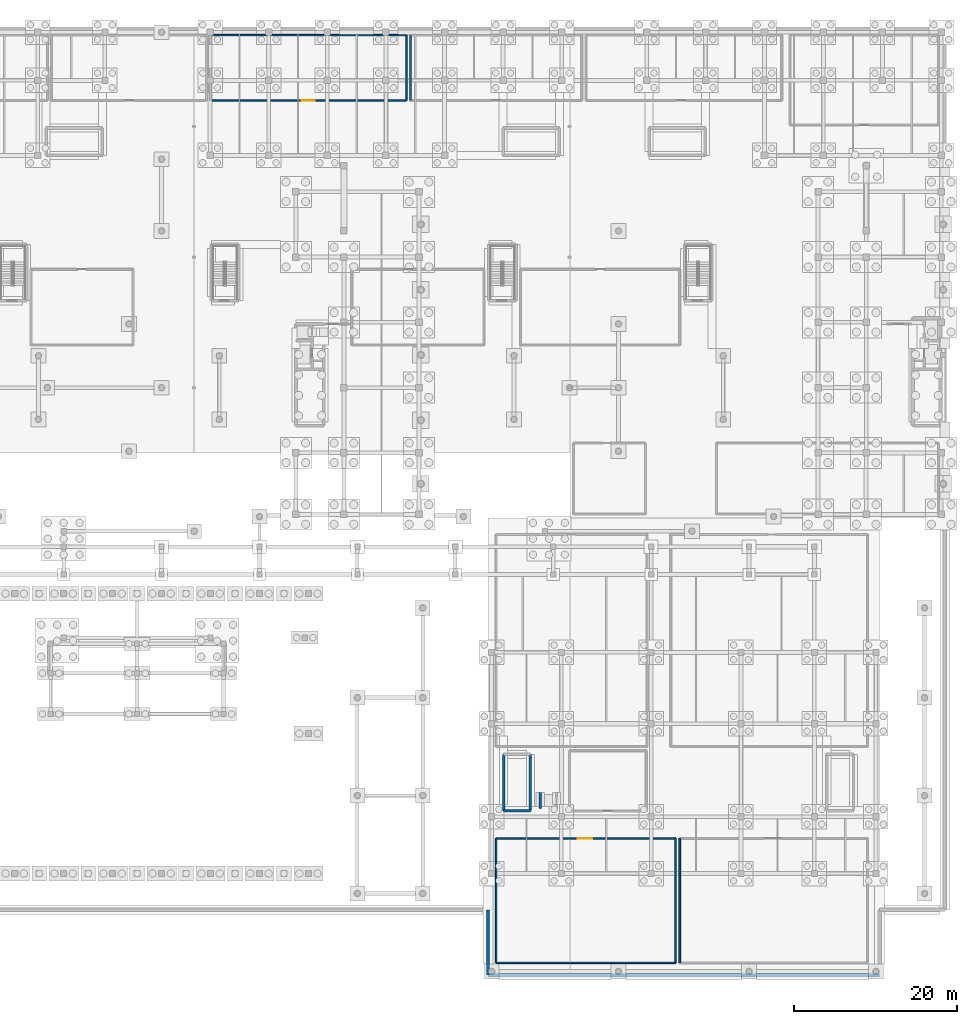
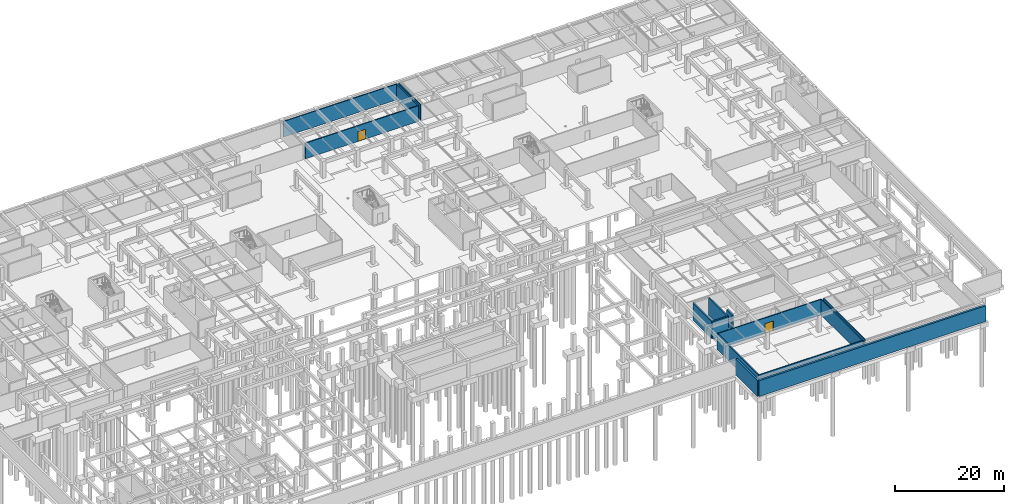
# One storey, part 23 of 35: 15 walls, 2 doors, 2 openings.
"""IFC4 building model written with IfcOpenShell, lengths in metres."""

from ifc_helpers import new_model, si_unit, direction, frame, frame_2d, origin, place, context, subcontext, project, spatial, rectangle, extrude, material, layer, layer_set, type_object, element, fill, save


model = new_model("IFC4")

# Units and contexts
model_context = context("Model", 3, precision=1e-05, world=origin(), true_north=direction((0.0, 1.0)))
body_context = subcontext(model_context, "Body", "Model", "MODEL_VIEW")
ifc_project = project(units=[si_unit("LENGTHUNIT", "METRE"), si_unit("AREAUNIT", "SQUARE_METRE"), si_unit("VOLUMEUNIT", "CUBIC_METRE"), si_unit("PLANEANGLEUNIT", "RADIAN"), si_unit("MASSUNIT", "GRAM", prefix="KILO")], contexts=[model_context])

# Site, building, storey
site_placement = place(None, origin())
site = spatial("IfcSite", under=ifc_project, at=site_placement, CompositionType="ELEMENT")
building_placement = place(site_placement, origin())
building = spatial("IfcBuilding", under=site, at=building_placement, Name="Keldmere Railside Commons", CompositionType="ELEMENT")
storey_placement = place(building_placement, frame((0.0, 0.0, -3.840087890625)))
storey = spatial("IfcBuildingStorey", under=building, at=storey_placement, Name="B1", CompositionType="ELEMENT", Elevation=-3.840087890625)

# Walls
ifc_material_1 = material(Name="Concrete H-40 (C40/50)", Category="concrete")
ifc_layer_1 = layer(ifc_material_1, 0.419921875, Name="Basement Retaining Wall 420")
ifc_layer_set_1 = layer_set([ifc_layer_1], Name="Concrete H-40 (C40/50)")
wall_type_1 = type_object("IfcWallType", Name="Basement Retaining Wall 420", PredefinedType="SOLIDWALL", material=ifc_layer_set_1)
wall_1_placement = place(storey_placement, frame((176.0, 0.0, 0.0), z_axis=(0.0, 0.0, 1.0), x_axis=(-1.0, 0.0, 0.0)))
element("IfcWall", 1, at=wall_1_placement, inside=storey, type_object=wall_type_1, Name="RW-1 RW-B1-0006", PredefinedType="SOLIDWALL", context=body_context, shape_type="SweptSolid", body=[
    extrude(rectangle(XDim=48.0, YDim=0.419921875, at=frame_2d((24.0, 0.0))), origin(), (0.0, 0.0, 1.0), 3.5400390625),
])
wall_2_placement = place(storey_placement, frame((128.0, 0.0, 0.0), z_axis=(0.0, 0.0, 1.0), x_axis=(0.0, 1.0, 0.0)))
element("IfcWall", 2, at=wall_2_placement, inside=storey, type_object=wall_type_1, Name="RW-1 RW-B1-0007", PredefinedType="SOLIDWALL", context=body_context, shape_type="SweptSolid", body=[
    extrude(rectangle(XDim=8.0, YDim=0.419921875, at=frame_2d((4.0, 0.0))), origin(), (0.0, 0.0, 1.0), 3.5400390625),
])
ifc_material_2 = material(Name="Concrete H-35 (C35/45)", Category="concrete")
ifc_layer_2 = layer(ifc_material_2, 0.280029296875, Name="Core Shear Wall 280")
ifc_layer_set_2 = layer_set([ifc_layer_2], Name="Concrete H-35 (C35/45)")
wall_type_2 = type_object("IfcWallType", Name="Core Shear Wall 280", PredefinedType="SHEAR", material=ifc_layer_set_2)
wall_3_placement = place(storey_placement, frame((134.39990234375, 20.39990234375, 0.0), z_axis=(0.0, 0.0, 1.0), x_axis=(0.0, 1.0, 0.0)))
element("IfcWall", 3, at=wall_3_placement, inside=storey, type_object=wall_type_2, Name="CSW-2 ALSHB-B1-1030", PredefinedType="SHEAR", context=body_context, shape_type="SweptSolid", body=[
    extrude(rectangle(XDim=2.0, YDim=0.280029296875, at=frame_2d((1.0, 0.0))), origin(), (0.0, 0.0, 1.0), 3.52001953125),
])
ifc_layer_3 = layer(ifc_material_2, 0.300048828125, Name="Interior Shear Wall 300")
ifc_layer_set_3 = layer_set([ifc_layer_3], Name="Concrete H-35 (C35/45)")
wall_type_3 = type_object("IfcWallType", Name="Interior Shear Wall 300", PredefinedType="SHEAR", material=ifc_layer_set_3)
wall_4_placement = place(storey_placement, frame((133.199951171875, 20.14990234375, 0.0), z_axis=(0.0, 0.0, 1.0), x_axis=(-1.0, 0.0, 0.0)))
element("IfcWall", 4, at=wall_4_placement, inside=storey, type_object=wall_type_3, Name="ISW-2 WAL-ST-M1-B1-S", PredefinedType="SHEAR", context=body_context, shape_type="SweptSolid", body=[
    extrude(rectangle(XDim=3.2900390625, YDim=0.300048828125, at=frame_2d((1.64501953125, 0.0))), origin(), (0.0, 0.0, 1.0), 3.840087890625),
])
for number, where, z_axis, x_axis, name in (
    (5, (133.199951171875, 27.050048828125, 0.0), (0.0, 0.0, 1.0), (0.0, -1.0, 0.0), "ISW-2 WAL-ST-M1-B1-E"),
    (6, (129.909912109375, 20.14990234375, 0.0), (0.0, 0.0, 1.0), (0.0, 1.0, 0.0), "ISW-2 WAL-ST-M1-B1-W"),
):
    element("IfcWall", number, at=place(storey_placement, frame(where, z_axis=z_axis, x_axis=x_axis)), inside=storey, type_object=wall_type_3, Name=name, PredefinedType="SHEAR", context=body_context, shape_type="SweptSolid", body=[
        extrude(rectangle(XDim=6.900146484375, YDim=0.300048828125, at=frame_2d((3.4501953125, 0.0))), origin(), (0.0, 0.0, 1.0), 3.840087890625),
    ])

# Wall, opening, door
ifc_material_3 = material(Name="Terracotta Brick Masonry", Category="masonry")
ifc_layer_4 = layer(ifc_material_3, 0.199951171875, Name="Plant Masonry Infill Wall 200")
ifc_layer_set_4 = layer_set([ifc_layer_4], Name="Terracotta Brick Masonry")
wall_type_4 = type_object("IfcWallType", Name="Plant Masonry Infill Wall 200", PredefinedType="SOLIDWALL", material=ifc_layer_set_4)
wall_5_placement = place(storey_placement, frame((94.0, 107.199951171875, 0.0), z_axis=(0.0, 0.0, 1.0), x_axis=(1.0, 0.0, 0.0)))
wall_5 = element("IfcWall", 7, at=wall_5_placement, inside=storey, type_object=wall_type_4, Name="MW-1 IW-B1-0009", PredefinedType="SOLIDWALL", context=body_context, shape_type="SweptSolid", body=[
    extrude(rectangle(XDim=24.0, YDim=0.199951171875, at=frame_2d((12.0, 0.0))), origin(), (0.0, 0.0, 1.0), 3.52001953125),
])
opening_1_placement = place(wall_5_placement, frame((11.199951171875, 0.0, 0.0)))
opening_1 = element("IfcOpeningElement", 8, at=opening_1_placement, cuts=wall_5, Name="Opening ID-16", PredefinedType="OPENING", context=body_context, shape_type="SweptSolid", body=[
    extrude(rectangle(XDim=1.550048828125, YDim=2.199951171875, at=frame_2d((0.77490234375, 1.10009765625))), frame((0.0, 0.10986328125, 0.0), z_axis=(0.0, -1.0, 0.0), x_axis=(1.0, 0.0, 0.0)), (0.0, 0.0, 1.0), 0.219970703125),
])
ifc_material_4 = material(Name="Steel F-24 (S235)", Category="steel")
door_type_1 = type_object("IfcDoorType", Name="Bicycle Hub Double Swing Door 1550x2200", OperationType="DOUBLE_DOOR_SINGLE_SWING", PredefinedType="DOOR", material=ifc_material_4)
door_1_placement = place(opening_1_placement, origin())
door_1 = element("IfcDoor", 9, at=door_1_placement, inside=storey, type_object=door_type_1, Name="ID-16 IDR-B1-0003", OperationType="DOUBLE_DOOR_SINGLE_SWING", OverallHeight=2.199951171875, OverallWidth=1.550048828125, PredefinedType="DOOR", context=body_context, shape_type="SweptSolid", body=[
    extrude(rectangle(XDim=1.550048828125, YDim=2.199951171875, at=frame_2d((0.77490234375, 1.10009765625))), frame((0.0, 0.02490234375, 0.0), z_axis=(0.0, -1.0, 0.0), x_axis=(1.0, 0.0, 0.0)), (0.0, 0.0, 1.0), 0.050048828125),
])
fill(opening_1, door_1)

# Walls
wall_6_placement = place(storey_placement, frame((118.0, 107.199951171875, 0.0), z_axis=(0.0, 0.0, 1.0), x_axis=(0.0, 1.0, 0.0)))
element("IfcWall", 10, at=wall_6_placement, inside=storey, type_object=wall_type_4, Name="MW-1 IW-B1-0010", PredefinedType="SOLIDWALL", context=body_context, shape_type="SweptSolid", body=[
    extrude(rectangle(XDim=8.0, YDim=0.199951171875, at=frame_2d((4.0, 0.0))), origin(), (0.0, 0.0, 1.0), 3.52001953125),
])
wall_7_placement = place(storey_placement, frame((118.0, 115.199951171875, 0.0), z_axis=(0.0, 0.0, 1.0), x_axis=(-1.0, 0.0, 0.0)))
element("IfcWall", 11, at=wall_7_placement, inside=storey, type_object=wall_type_4, Name="MW-1 IW-B1-0011", PredefinedType="SOLIDWALL", context=body_context, shape_type="SweptSolid", body=[
    extrude(rectangle(XDim=24.0, YDim=0.199951171875, at=frame_2d((12.0, 0.0))), origin(), (0.0, 0.0, 1.0), 3.52001953125),
])
wall_8_placement = place(storey_placement, frame((129.0, 1.5, 0.0), z_axis=(0.0, 0.0, 1.0), x_axis=(1.0, 0.0, 0.0)))
element("IfcWall", 12, at=wall_8_placement, inside=storey, type_object=wall_type_4, Name="MW-1 IW-B1-0017", PredefinedType="SOLIDWALL", context=body_context, shape_type="SweptSolid", body=[
    extrude(rectangle(XDim=22.0, YDim=0.199951171875, at=frame_2d((11.0, 0.0))), origin(), (0.0, 0.0, 1.0), 3.52001953125),
])
wall_9_placement = place(storey_placement, frame((151.0, 1.5, 0.0), z_axis=(0.0, 0.0, 1.0), x_axis=(0.0, 1.0, 0.0)))
element("IfcWall", 13, at=wall_9_placement, inside=storey, type_object=wall_type_4, Name="MW-1 IW-B1-0018", PredefinedType="SOLIDWALL", context=body_context, shape_type="SweptSolid", body=[
    extrude(rectangle(XDim=15.25, YDim=0.199951171875, at=frame_2d((7.625, 0.0))), origin(), (0.0, 0.0, 1.0), 3.52001953125),
])

# Wall, opening, door
wall_10_placement = place(storey_placement, frame((151.0, 16.75, 0.0), z_axis=(0.0, 0.0, 1.0), x_axis=(-1.0, 0.0, 0.0)))
wall_10 = element("IfcWall", 14, at=wall_10_placement, inside=storey, type_object=wall_type_4, Name="MW-1 IW-B1-0019", PredefinedType="SOLIDWALL", context=body_context, shape_type="SweptSolid", body=[
    extrude(rectangle(XDim=22.0, YDim=0.199951171875, at=frame_2d((11.0, 0.0))), origin(), (0.0, 0.0, 1.0), 3.52001953125),
])
opening_2_placement = place(wall_10_placement, frame((10.199951171875, 0.0, 0.0)))
opening_2 = element("IfcOpeningElement", 15, at=opening_2_placement, cuts=wall_10, Name="Opening FD-6", PredefinedType="OPENING", context=body_context, shape_type="SweptSolid", body=[
    extrude(rectangle(XDim=1.800048828125, YDim=2.25, at=frame_2d((0.89990234375, 1.125))), frame((0.0, 0.10986328125, 0.0), z_axis=(0.0, -1.0, 0.0), x_axis=(1.0, 0.0, 0.0)), (0.0, 0.0, 1.0), 0.219970703125),
])
door_type_2 = type_object("IfcDoorType", Name="Transformer & Pump Room Double Fire Door 1800x2250", OperationType="DOUBLE_DOOR_SINGLE_SWING", PredefinedType="DOOR", material=ifc_material_4)
door_2_placement = place(opening_2_placement, origin())
door_2 = element("IfcDoor", 16, at=door_2_placement, inside=storey, type_object=door_type_2, Name="FD-6 IDR-B1-0005", OperationType="DOUBLE_DOOR_SINGLE_SWING", OverallHeight=2.25, OverallWidth=1.800048828125, PredefinedType="DOOR", context=body_context, shape_type="SweptSolid", body=[
    extrude(rectangle(XDim=1.800048828125, YDim=2.25, at=frame_2d((0.89990234375, 1.125))), frame((0.0, 0.02490234375, 0.0), z_axis=(0.0, -1.0, 0.0), x_axis=(1.0, 0.0, 0.0)), (0.0, 0.0, 1.0), 0.050048828125),
])
fill(opening_2, door_2)

# Walls
for number, where, z_axis, x_axis, name in (
    (17, (129.0, 16.75, 0.0), (0.0, 0.0, 1.0), (0.0, -1.0, 0.0), "MW-1 IW-B1-0020"),
    (18, (151.5, 16.75, 0.0), (0.0, 0.0, 1.0), (0.0, -1.0, 0.0), "MW-1 IW-B1-0024"),
):
    element("IfcWall", number, at=place(storey_placement, frame(where, z_axis=z_axis, x_axis=x_axis)), inside=storey, type_object=wall_type_4, Name=name, PredefinedType="SOLIDWALL", context=body_context, shape_type="SweptSolid", body=[
        extrude(rectangle(XDim=15.25, YDim=0.199951171875, at=frame_2d((7.625, 0.0))), origin(), (0.0, 0.0, 1.0), 3.52001953125),
    ])
wall_11_placement = place(storey_placement, frame((118.5, 115.199951171875, 0.0), z_axis=(0.0, 0.0, 1.0), x_axis=(0.0, -1.0, 0.0)))
element("IfcWall", 19, at=wall_11_placement, inside=storey, type_object=wall_type_4, Name="MW-1 IW-B1-0064", PredefinedType="SOLIDWALL", context=body_context, shape_type="SweptSolid", body=[
    extrude(rectangle(XDim=8.0, YDim=0.199951171875, at=frame_2d((4.0, 0.0))), origin(), (0.0, 0.0, 1.0), 3.52001953125),
])

save(model, "model.ifc")
